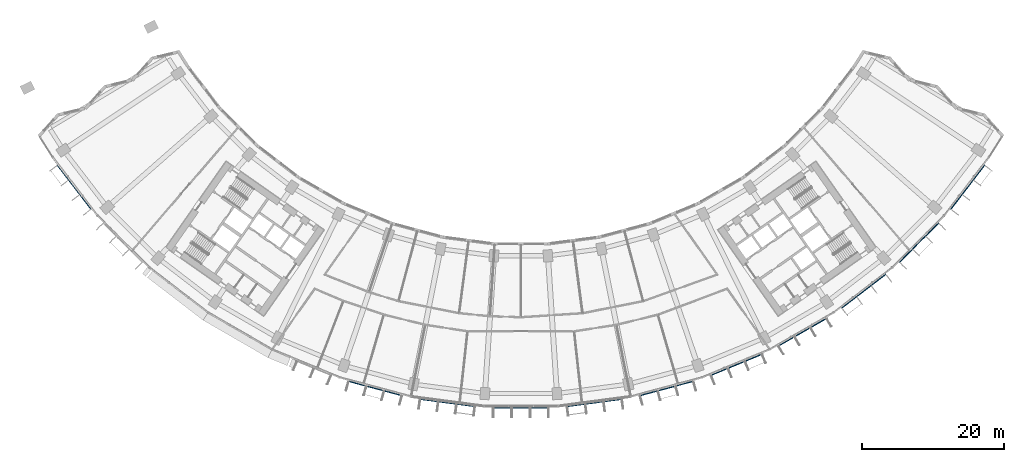
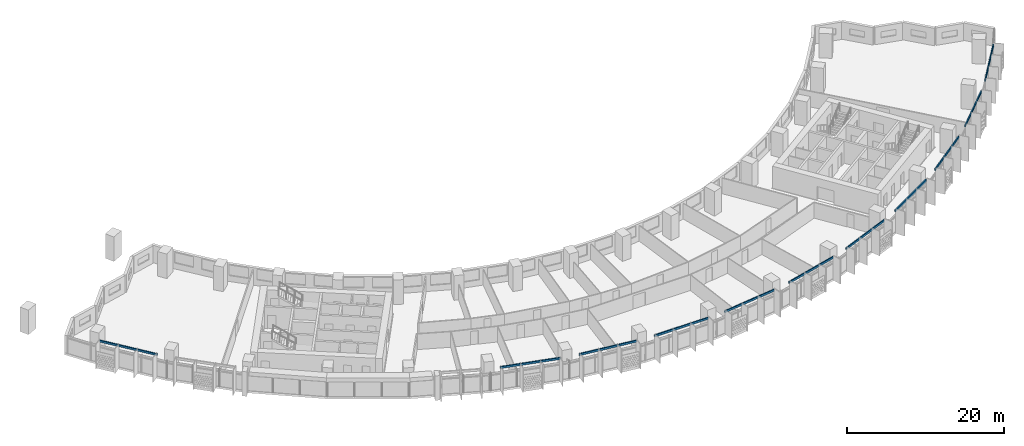
# One storey, part 9 of 31: 11 discrete accessories.
"""IFC4 building model written with IfcOpenShell, lengths in metres."""

import ifcopenshell
import ifcopenshell.guid

model = None  # the IFC model being written
_history = None  # IfcOwnerHistory: only IFC2X3 demands one
_inside = {}  # id of a spatial element -> (the spatial element, [elements in it])
_under = {}  # id of a project, library or spatial element -> (it, [spatial elements below it])
_declared = {}  # id of a project -> (the project, [libraries it declares])
_typed = {}  # id of a type object -> (the type object, [elements of that type])
_made_of = {}  # id of a material, layer set ... -> (it, [elements and type objects made of it])


def new_model(schema):
    """Start an empty IFC model of exactly this schema.

    Asked for "IFC4X3", IfcOpenShell would pick the latest addendum, in which some entities
    have other attributes; the version numbers below select the first issue.
    IFC2X3 requires an IfcOwnerHistory on every rooted entity: one is made here for all.
    """
    global model, _history
    if schema == "IFC4X3":
        model = ifcopenshell.file(schema_version=(4, 3, 0, 0))
    else:
        model = ifcopenshell.file(schema=schema)
    _inside.clear()
    _under.clear()
    _declared.clear()
    _typed.clear()
    _made_of.clear()
    _history = None
    if model.schema == "IFC2X3":
        org = make("IfcOrganization", Name="unknown")
        user = make(
            "IfcPersonAndOrganization",
            ThePerson=make("IfcPerson", FamilyName="unknown"),
            TheOrganization=org,
        )
        app = make(
            "IfcApplication",
            ApplicationDeveloper=org,
            Version="unknown",
            ApplicationFullName="unknown",
            ApplicationIdentifier="unknown",
        )
        _history = make(
            "IfcOwnerHistory",
            OwningUser=user,
            OwningApplication=app,
            ChangeAction="ADDED",
            CreationDate=0,
        )
    return model


def make(cls, **values):
    """One entity of the class cls with the attributes given. An attribute that is None is left unset."""
    return model.create_entity(
        cls, **{name: value for name, value in values.items() if value is not None}
    )


def rooted(cls, **values):
    """An entity with a GlobalId (a new one), such as an element, a storey or a relation."""
    return make(cls, GlobalId=ifcopenshell.guid.new(), OwnerHistory=_history, **values)


def si_unit(unit_type, name, prefix=None):
    """IfcSIUnit, for example si_unit("LENGTHUNIT", "METRE", prefix="MILLI")."""
    return make("IfcSIUnit", UnitType=unit_type, Prefix=prefix, Name=name)


def assignment(units):
    """IfcUnitAssignment: the units of a project."""
    return None if units is None else make("IfcUnitAssignment", Units=units)


def point(xyz):
    """IfcCartesianPoint."""
    return None if xyz is None else make("IfcCartesianPoint", Coordinates=xyz)


def direction(xyz):
    """IfcDirection."""
    return None if xyz is None else make("IfcDirection", DirectionRatios=xyz)


def frame(location, z_axis=None, x_axis=None):
    """IfcAxis2Placement3D, a coordinate frame: its origin and axes. An axis left out is left unset."""
    return make(
        "IfcAxis2Placement3D",
        Location=point(location),
        Axis=direction(z_axis),
        RefDirection=direction(x_axis),
    )


def frame_2d(location, x_axis=None):
    """IfcAxis2Placement2D, a coordinate frame in the plane: its origin and x axis."""
    return make(
        "IfcAxis2Placement2D", Location=point(location), RefDirection=direction(x_axis)
    )


def origin():
    """The frame at (0, 0, 0) with its axes left unset."""
    return frame((0.0, 0.0, 0.0))


def origin_2d():
    """The frame at (0, 0) in the plane with its x axis left unset."""
    return frame_2d((0.0, 0.0))


def place(relative_to, where):
    """IfcLocalPlacement: puts the frame where relative to a parent placement (None: the world)."""
    return make(
        "IfcLocalPlacement", PlacementRelTo=relative_to, RelativePlacement=where
    )


def context(
    kind, dimensions, precision=None, world=None, true_north=None, identifier=None
):
    """IfcGeometricRepresentationContext, for example the 3D "Model" context."""
    return make(
        "IfcGeometricRepresentationContext",
        ContextIdentifier=identifier,
        ContextType=kind,
        CoordinateSpaceDimension=dimensions,
        Precision=precision,
        WorldCoordinateSystem=world,
        TrueNorth=true_north,
    )


def subcontext(parent, identifier, kind, view, scale=None):
    """IfcGeometricRepresentationSubContext, for example "Body" below "Model"."""
    return make(
        "IfcGeometricRepresentationSubContext",
        ContextIdentifier=identifier,
        ContextType=kind,
        ParentContext=parent,
        TargetScale=scale,
        TargetView=view,
    )


def project(units=None, contexts=None):
    """IfcProject with its units and contexts."""
    return rooted(
        "IfcProject",
        Name="project",
        RepresentationContexts=contexts,
        UnitsInContext=assignment(units),
    )


def spatial(cls, under=None, at=None, **own):
    """A site, building, storey or space (cls), placed at a placement, below another one or the project."""
    s = rooted(cls, ObjectPlacement=at, **own)
    if under is not None:
        _under.setdefault(under.id(), (under, []))[1].append(s)
    return s


def profile(cls, at=None, kind="AREA", **sizes):
    """A parametric profile (cls). Its sizes go by their IFC names, for example OverallWidth=200.0."""
    return make(cls, ProfileType=kind, Position=at, **sizes)


def rectangle(**sizes):
    """IfcRectangleProfileDef."""
    return profile("IfcRectangleProfileDef", **sizes)


def extrude(swept, where, along, depth):
    """IfcExtrudedAreaSolid: the profile swept, set in the frame where, extruded along a direction by depth."""
    return make(
        "IfcExtrudedAreaSolid",
        SweptArea=swept,
        Position=where,
        ExtrudedDirection=direction(along),
        Depth=depth,
    )


def shape(context_of_items, identifier, shape_type, items):
    """IfcShapeRepresentation: the items that make up one representation, for example the "Body"."""
    return make(
        "IfcShapeRepresentation",
        ContextOfItems=context_of_items,
        RepresentationIdentifier=identifier,
        RepresentationType=shape_type,
        Items=items,
    )


def material(Name=None, Category=None):
    """IfcMaterial."""
    return make("IfcMaterial", Name=Name, Category=Category)


def made_of(thing, what):
    """Note that an element or type object is made of a material, layer set ...; save() writes the relation."""
    if what is not None:
        _made_of.setdefault(what.id(), (what, []))[1].append(thing)
    return thing


def type_object(cls, material=None, **own):
    """A type object (cls), such as IfcWallType, which elements share."""
    return made_of(rooted(cls, **own), material)


def element(
    cls,
    number,
    at=None,
    inside=None,
    cuts=None,
    type_object=None,
    material=None,
    context=None,
    identifier="Body",
    shape_type=None,
    held_by="IfcProductDefinitionShape",
    body=None,
    shapes=None,
    **own,
):
    """One element of the class cls, such as IfcWall. Its Tag is "e" and its number.

    at: its placement. inside: the storey or other place that contains it. cuts: it is an
    opening in that element (IfcRelVoidsElement). A single representation is given by context,
    identifier, shape_type and body (its items); several are given by shapes. held_by: the class
    of the entity that holds the representations. save() writes the other relations.
    """
    e = rooted(cls, Tag="e%d" % number, ObjectPlacement=at, **own)
    if body is not None:
        shapes = [shape(context, identifier, shape_type, body)]
    if shapes is not None:
        e.Representation = make(held_by, Representations=shapes)
    if inside is not None:
        _inside.setdefault(inside.id(), (inside, []))[1].append(e)
    if cuts is not None:
        rooted(
            "IfcRelVoidsElement", RelatingBuildingElement=cuts, RelatedOpeningElement=e
        )
    if type_object is not None:
        _typed.setdefault(type_object.id(), (type_object, []))[1].append(e)
    return made_of(e, material)


def aggregate(whole, parts):
    """IfcRelAggregates: a whole, such as a stair, and the parts it consists of."""
    return rooted("IfcRelAggregates", RelatingObject=whole, RelatedObjects=parts)


def save(model, path):
    """Write the relations noted so far, then the file.

    IfcRelAggregates (storeys below a building ...), IfcRelContainedInSpatialStructure (elements
    in a storey), IfcRelDefinesByType, IfcRelAssociatesMaterial and IfcRelDeclares: one each for
    every whole, place, type object, material and project.
    """
    for whole, parts in _under.values():
        aggregate(whole, parts)
    for where, things in _inside.values():
        rooted(
            "IfcRelContainedInSpatialStructure",
            RelatedElements=things,
            RelatingStructure=where,
        )
    for kind, things in _typed.values():
        rooted("IfcRelDefinesByType", RelatedObjects=things, RelatingType=kind)
    for what, things in _made_of.values():
        rooted("IfcRelAssociatesMaterial", RelatedObjects=things, RelatingMaterial=what)
    for by, libraries in _declared.values():
        rooted("IfcRelDeclares", RelatingContext=by, RelatedDefinitions=libraries)
    model.write(path)


model = new_model("IFC4")

# Units and contexts
model_context = context("Model", 3, precision=1e-05, world=origin(), true_north=direction((0.0, 1.0)))
body_context = subcontext(model_context, "Body", "Model", "MODEL_VIEW")
ifc_project = project(units=[si_unit("LENGTHUNIT", "METRE"), si_unit("AREAUNIT", "SQUARE_METRE"), si_unit("VOLUMEUNIT", "CUBIC_METRE"), si_unit("PLANEANGLEUNIT", "RADIAN"), si_unit("MASSUNIT", "GRAM", prefix="KILO")], contexts=[model_context])

# Site, building, storey
site_placement = place(None, origin())
site = spatial("IfcSite", under=ifc_project, at=site_placement, CompositionType="ELEMENT")
building_placement = place(site_placement, origin())
building = spatial("IfcBuilding", under=site, at=building_placement, Name="Qamariyya Broadcast Tower", CompositionType="ELEMENT")
storey_placement = place(building_placement, frame((0.0, 0.0, 86.10009765625)))
storey = spatial("IfcBuildingStorey", under=building, at=storey_placement, Name="L18", CompositionType="ELEMENT", Elevation=86.10009765625)

# Discrete accessories
ifc_material = material(Name="Stainless steel 316", Category="steel")
discrete_accessory_type = type_object("IfcDiscreteAccessoryType", Name="Slab edge fixing angle, stainless steel", PredefinedType="BRACKET", material=ifc_material)
for number, where, z_axis, x_axis, name in (
    (1, (-63.11474609375, -48.4296875, 3.2998046875), (0.0, 0.0, 1.0), (0.608761429009, -0.793353340291, 0.0), "e-br-L18-01-0"),
    (2, (-20.59033203125, -76.84375, 3.2998046875), (0.0, 0.0, 1.0), (0.965925826289, -0.258819045103, 0.0), "e-br-L18-06-0"),
    (3, (-10.384033203125, -78.873779296875, 3.2998046875), (0.0, 0.0, 1.0), (0.991444861374, -0.13052619222, 0.0), "e-br-L18-07-0"),
    (4, (0.0, -79.554443359375, 3.2998046875), (0.0, 0.0, 1.0), (1.0, 0.0, 0.0), "e-br-L18-08-0"),
    (5, (10.384033203125, -78.873779296875, 3.2998046875), (0.0, 0.0, 1.0), (0.991444861374, 0.13052619222, 0.0), "e-br-L18-09-0"),
    (6, (20.59033203125, -76.84375, 3.2998046875), (0.0, 0.0, 1.0), (0.965925826289, 0.258819045103, 0.0), "e-br-L18-10-0"),
    (7, (30.444091796875, -73.498779296875, 3.2998046875), (0.0, 0.0, 1.0), (0.923879532511, 0.382683432365, 0.0), "e-br-L18-11-0"),
    (8, (39.77734375, -68.896240234375, 3.2998046875), (0.0, 0.0, 1.0), (0.866025403784, 0.5, 0.0), "e-br-L18-12-0"),
    (9, (48.4296875, -63.11474609375, 3.2998046875), (0.0, 0.0, 1.0), (0.793353340291, 0.608761429009, 0.0), "e-br-L18-13-0"),
    (10, (56.25341796875, -56.25341796875, 3.2998046875), (0.0, 0.0, 1.0), (0.707106781187, 0.707106781187, 0.0), "e-br-L18-14-0"),
    (11, (63.11474609375, -48.4296875, 3.2998046875), (0.0, 0.0, 1.0), (0.608761429009, 0.793353340291, 0.0), "e-br-L18-15-0"),
):
    element("IfcDiscreteAccessory", number, at=place(storey_placement, frame(where, z_axis=z_axis, x_axis=x_axis)), inside=storey, type_object=discrete_accessory_type, Name=name, PredefinedType="BRACKET", context=body_context, shape_type="SweptSolid", body=[
        extrude(rectangle(XDim=7.9140625, YDim=0.14990234375, at=origin_2d()), origin(), (0.0, 0.0, 1.0), 0.300048828125),
    ])

save(model, "model.ifc")
